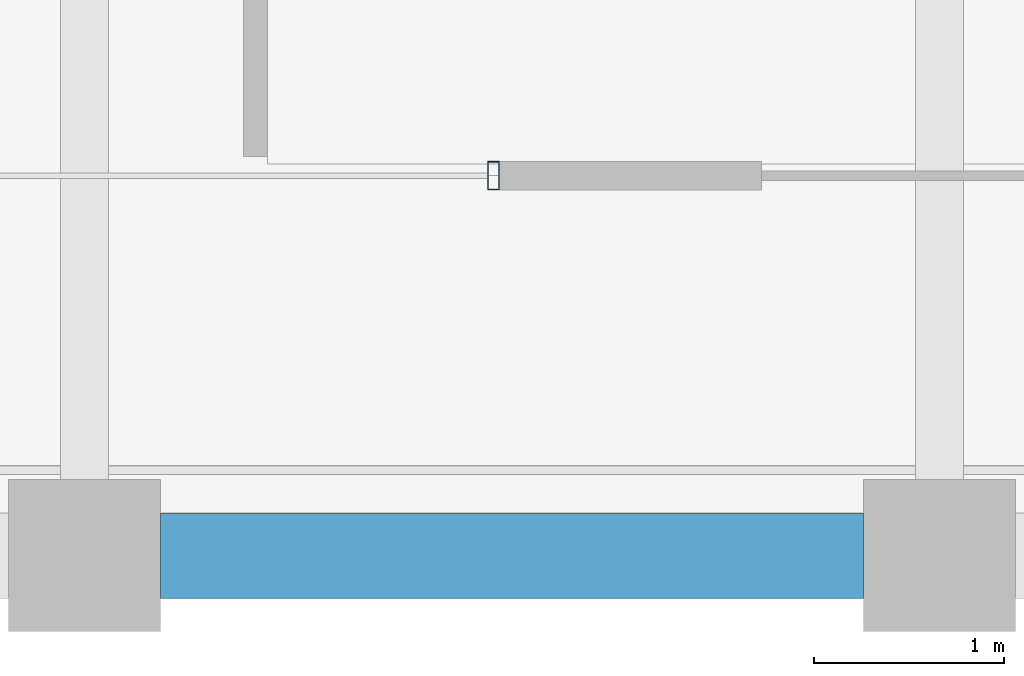
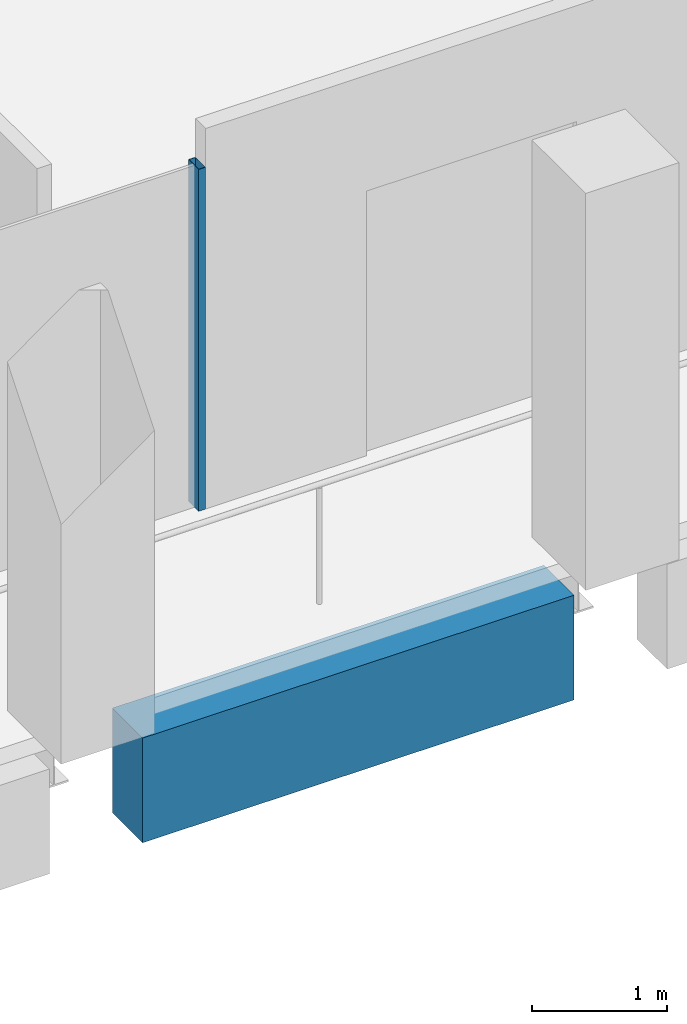
# One storey, part 7 of 41: 1 beam, 1 member, 1 element without a shape of its own.
"""IFC4 building model written with IfcOpenShell, lengths in metres."""

from ifc_helpers import new_model, si_unit, direction, frame, origin, origin_2d, place, context, subcontext, project, spatial, rectangle, hollow_rectangle, extrude, material, material_profile, profile_set, type_object, element, aggregate, save


model = new_model("IFC4")

# Units and contexts
model_context = context("Model", 3, precision=1e-05, world=origin(), true_north=direction((0.0, 1.0)))
body_context = subcontext(model_context, "Body", "Model", "MODEL_VIEW")
ifc_project = project(units=[si_unit("LENGTHUNIT", "METRE"), si_unit("AREAUNIT", "SQUARE_METRE"), si_unit("VOLUMEUNIT", "CUBIC_METRE"), si_unit("PLANEANGLEUNIT", "RADIAN"), si_unit("MASSUNIT", "GRAM", prefix="KILO")], contexts=[model_context])

# Site, building, storey
site_placement = place(None, origin())
site = spatial("IfcSite", under=ifc_project, at=site_placement, CompositionType="ELEMENT")
building_placement = place(site_placement, origin())
building = spatial("IfcBuilding", under=site, at=building_placement, Name="Altepetl Exchange Towers", CompositionType="ELEMENT")
storey_placement = place(building_placement, frame((0.0, 0.0, 206.39990234375)))
storey = spatial("IfcBuildingStorey", under=building, at=storey_placement, Name="L52", CompositionType="ELEMENT", Elevation=206.39990234375)

# Curtain wall, member
ifc_material_1 = material(Name="Aluminium 6063-T6 glazing", Category="aluminium")
curtain_wall_type = type_object("IfcCurtainWallType", Name="Loggia glazing system", PredefinedType="NOTDEFINED", material=ifc_material_1)
curtain_wall_placement = place(storey_placement, origin())
curtain_wall = element("IfcCurtainWall", 1, at=curtain_wall_placement, inside=storey, type_object=curtain_wall_type, Name="CW1 run", PredefinedType="NOTDEFINED")
ifc_material_2 = material(Name="Aluminium 6063-T6", Category="aluminium")
ifc_material_profile_1 = material_profile(ifc_material_2, hollow_rectangle(XDim=0.06005859375, YDim=0.14990234375, WallThickness=0.0029296875, at=origin_2d()), Name="Mullion 60x150 aluminium")
ifc_profile_set_1 = profile_set([ifc_material_profile_1], Name="Aluminium 6063-T6")
member_type = type_object("IfcMemberType", Name="Mullion 60x150 aluminium", PredefinedType="MULLION", material=ifc_profile_set_1)
member_placement = place(storey_placement, frame((47.152099609375, 29.0, 0.0)))
member = element("IfcMember", 2, at=member_placement, type_object=member_type, Name="MU1 mullion", PredefinedType="MULLION", context=body_context, shape_type="SweptSolid", body=[
    extrude(hollow_rectangle(XDim=0.06005859375, YDim=0.14990234375, WallThickness=0.0029296875, at=origin_2d()), origin(), (0.0, 0.0, 1.0), 3.10009765625),
])
aggregate(curtain_wall, [member])

# Beam
ifc_material_3 = material(Name="Concrete C50/60 precast with cantera blanca facing", Category="concrete")
ifc_material_profile_2 = material_profile(ifc_material_3, rectangle(XDim=0.449951171875, YDim=0.949951171875, at=origin_2d()), Name="450 x 950")
ifc_profile_set_2 = profile_set([ifc_material_profile_2], Name="Concrete C50/60 precast with cantera blanca facing")
beam_type = type_object("IfcBeamType", Name="Spandrel beam 450x950 cantera blanca", PredefinedType="SPANDREL", material=ifc_profile_set_2)
beam_placement = place(storey_placement, frame((45.39990234375, 27.0, -0.625), z_axis=(1.0, 0.0, 0.0), x_axis=(0.0, 1.0, 0.0)))
element("IfcBeam", 3, at=beam_placement, inside=storey, type_object=beam_type, Name="sp:A:L52:003", PredefinedType="SPANDREL", context=body_context, shape_type="SweptSolid", body=[
    extrude(rectangle(XDim=0.449951171875, YDim=0.949951171875, at=origin_2d()), origin(), (0.0, 0.0, 1.0), 3.7001953125),
])

save(model, "model.ifc")
